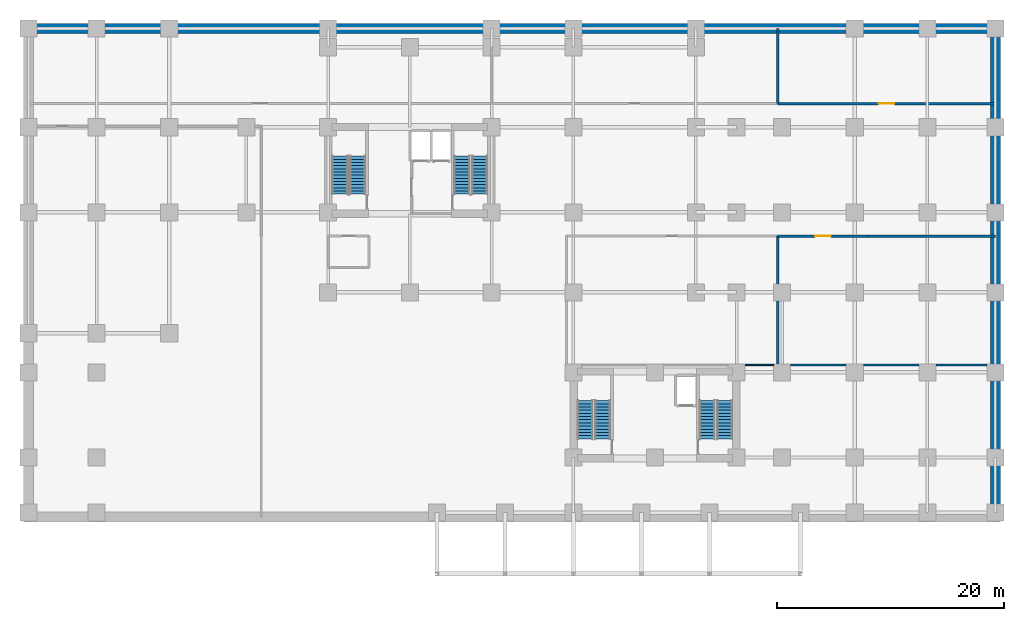
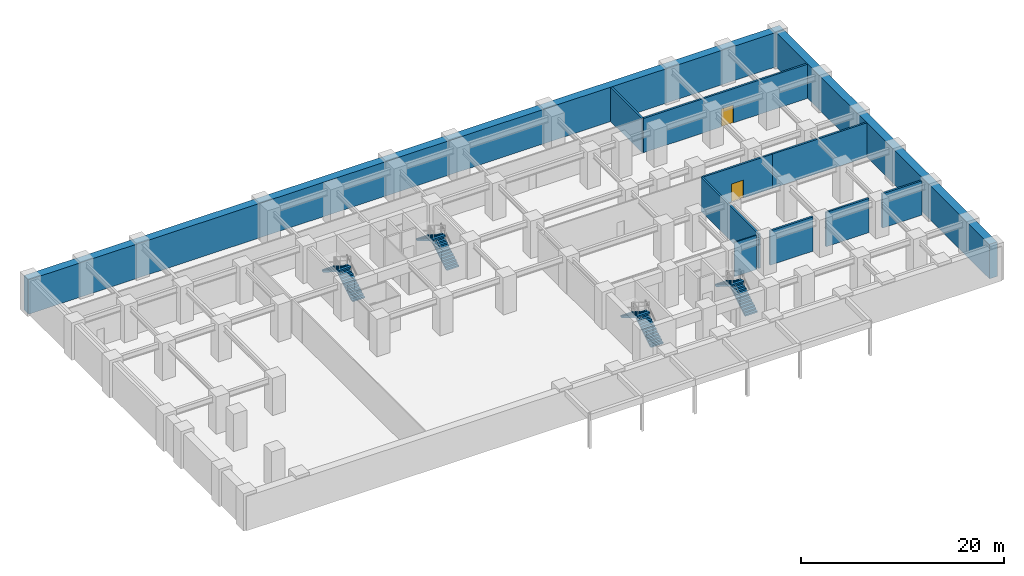
# One storey, part 9 of 11: 11 walls, 8 stair flights, 2 doors, 2 openings, 4 elements without a shape of their own.
"""IFC4 building model written with IfcOpenShell, lengths in metres."""

import ifcopenshell
import ifcopenshell.guid

model = None  # the IFC model being written
_history = None  # IfcOwnerHistory: only IFC2X3 demands one
_inside = {}  # id of a spatial element -> (the spatial element, [elements in it])
_under = {}  # id of a project, library or spatial element -> (it, [spatial elements below it])
_declared = {}  # id of a project -> (the project, [libraries it declares])
_typed = {}  # id of a type object -> (the type object, [elements of that type])
_made_of = {}  # id of a material, layer set ... -> (it, [elements and type objects made of it])


def new_model(schema):
    """Start an empty IFC model of exactly this schema.

    Asked for "IFC4X3", IfcOpenShell would pick the latest addendum, in which some entities
    have other attributes; the version numbers below select the first issue.
    IFC2X3 requires an IfcOwnerHistory on every rooted entity: one is made here for all.
    """
    global model, _history
    if schema == "IFC4X3":
        model = ifcopenshell.file(schema_version=(4, 3, 0, 0))
    else:
        model = ifcopenshell.file(schema=schema)
    _inside.clear()
    _under.clear()
    _declared.clear()
    _typed.clear()
    _made_of.clear()
    _history = None
    if model.schema == "IFC2X3":
        org = make("IfcOrganization", Name="unknown")
        user = make(
            "IfcPersonAndOrganization",
            ThePerson=make("IfcPerson", FamilyName="unknown"),
            TheOrganization=org,
        )
        app = make(
            "IfcApplication",
            ApplicationDeveloper=org,
            Version="unknown",
            ApplicationFullName="unknown",
            ApplicationIdentifier="unknown",
        )
        _history = make(
            "IfcOwnerHistory",
            OwningUser=user,
            OwningApplication=app,
            ChangeAction="ADDED",
            CreationDate=0,
        )
    return model


def make(cls, **values):
    """One entity of the class cls with the attributes given. An attribute that is None is left unset."""
    return model.create_entity(
        cls, **{name: value for name, value in values.items() if value is not None}
    )


def rooted(cls, **values):
    """An entity with a GlobalId (a new one), such as an element, a storey or a relation."""
    return make(cls, GlobalId=ifcopenshell.guid.new(), OwnerHistory=_history, **values)


def si_unit(unit_type, name, prefix=None):
    """IfcSIUnit, for example si_unit("LENGTHUNIT", "METRE", prefix="MILLI")."""
    return make("IfcSIUnit", UnitType=unit_type, Prefix=prefix, Name=name)


def assignment(units):
    """IfcUnitAssignment: the units of a project."""
    return None if units is None else make("IfcUnitAssignment", Units=units)


def point(xyz):
    """IfcCartesianPoint."""
    return None if xyz is None else make("IfcCartesianPoint", Coordinates=xyz)


def direction(xyz):
    """IfcDirection."""
    return None if xyz is None else make("IfcDirection", DirectionRatios=xyz)


def frame(location, z_axis=None, x_axis=None):
    """IfcAxis2Placement3D, a coordinate frame: its origin and axes. An axis left out is left unset."""
    return make(
        "IfcAxis2Placement3D",
        Location=point(location),
        Axis=direction(z_axis),
        RefDirection=direction(x_axis),
    )


def frame_2d(location, x_axis=None):
    """IfcAxis2Placement2D, a coordinate frame in the plane: its origin and x axis."""
    return make(
        "IfcAxis2Placement2D", Location=point(location), RefDirection=direction(x_axis)
    )


def origin():
    """The frame at (0, 0, 0) with its axes left unset."""
    return frame((0.0, 0.0, 0.0))


def place(relative_to, where):
    """IfcLocalPlacement: puts the frame where relative to a parent placement (None: the world)."""
    return make(
        "IfcLocalPlacement", PlacementRelTo=relative_to, RelativePlacement=where
    )


def context(
    kind, dimensions, precision=None, world=None, true_north=None, identifier=None
):
    """IfcGeometricRepresentationContext, for example the 3D "Model" context."""
    return make(
        "IfcGeometricRepresentationContext",
        ContextIdentifier=identifier,
        ContextType=kind,
        CoordinateSpaceDimension=dimensions,
        Precision=precision,
        WorldCoordinateSystem=world,
        TrueNorth=true_north,
    )


def subcontext(parent, identifier, kind, view, scale=None):
    """IfcGeometricRepresentationSubContext, for example "Body" below "Model"."""
    return make(
        "IfcGeometricRepresentationSubContext",
        ContextIdentifier=identifier,
        ContextType=kind,
        ParentContext=parent,
        TargetScale=scale,
        TargetView=view,
    )


def project(units=None, contexts=None):
    """IfcProject with its units and contexts."""
    return rooted(
        "IfcProject",
        Name="project",
        RepresentationContexts=contexts,
        UnitsInContext=assignment(units),
    )


def spatial(cls, under=None, at=None, **own):
    """A site, building, storey or space (cls), placed at a placement, below another one or the project."""
    s = rooted(cls, ObjectPlacement=at, **own)
    if under is not None:
        _under.setdefault(under.id(), (under, []))[1].append(s)
    return s


def polyline(points):
    """IfcPolyline through the points."""
    return make("IfcPolyline", Points=[point(p) for p in points])


def profile(cls, at=None, kind="AREA", **sizes):
    """A parametric profile (cls). Its sizes go by their IFC names, for example OverallWidth=200.0."""
    return make(cls, ProfileType=kind, Position=at, **sizes)


def rectangle(**sizes):
    """IfcRectangleProfileDef."""
    return profile("IfcRectangleProfileDef", **sizes)


def outline(outer, holes=None, kind="AREA"):
    """IfcArbitraryClosedProfileDef: a profile drawn as a closed curve; with holes, ...WithVoids."""
    if holes is None:
        return make("IfcArbitraryClosedProfileDef", ProfileType=kind, OuterCurve=outer)
    return make(
        "IfcArbitraryProfileDefWithVoids",
        ProfileType=kind,
        OuterCurve=outer,
        InnerCurves=holes,
    )


def extrude(swept, where, along, depth):
    """IfcExtrudedAreaSolid: the profile swept, set in the frame where, extruded along a direction by depth."""
    return make(
        "IfcExtrudedAreaSolid",
        SweptArea=swept,
        Position=where,
        ExtrudedDirection=direction(along),
        Depth=depth,
    )


def shape(context_of_items, identifier, shape_type, items):
    """IfcShapeRepresentation: the items that make up one representation, for example the "Body"."""
    return make(
        "IfcShapeRepresentation",
        ContextOfItems=context_of_items,
        RepresentationIdentifier=identifier,
        RepresentationType=shape_type,
        Items=items,
    )


def material(Name=None, Category=None):
    """IfcMaterial."""
    return make("IfcMaterial", Name=Name, Category=Category)


def layer(
    of_material, thickness, ventilated=None, Name=None, Category=None, Priority=None
):
    """IfcMaterialLayer: one layer of a wall or slab, of a material (None: an air gap)."""
    return make(
        "IfcMaterialLayer",
        Material=of_material,
        LayerThickness=thickness,
        IsVentilated=ventilated,
        Name=Name,
        Category=Category,
        Priority=Priority,
    )


def layer_set(layers, Name=None):
    """IfcMaterialLayerSet."""
    return make("IfcMaterialLayerSet", MaterialLayers=layers, LayerSetName=Name)


def made_of(thing, what):
    """Note that an element or type object is made of a material, layer set ...; save() writes the relation."""
    if what is not None:
        _made_of.setdefault(what.id(), (what, []))[1].append(thing)
    return thing


def type_object(cls, material=None, **own):
    """A type object (cls), such as IfcWallType, which elements share."""
    return made_of(rooted(cls, **own), material)


def element(
    cls,
    number,
    at=None,
    inside=None,
    cuts=None,
    type_object=None,
    material=None,
    context=None,
    identifier="Body",
    shape_type=None,
    held_by="IfcProductDefinitionShape",
    body=None,
    shapes=None,
    **own,
):
    """One element of the class cls, such as IfcWall. Its Tag is "e" and its number.

    at: its placement. inside: the storey or other place that contains it. cuts: it is an
    opening in that element (IfcRelVoidsElement). A single representation is given by context,
    identifier, shape_type and body (its items); several are given by shapes. held_by: the class
    of the entity that holds the representations. save() writes the other relations.
    """
    e = rooted(cls, Tag="e%d" % number, ObjectPlacement=at, **own)
    if body is not None:
        shapes = [shape(context, identifier, shape_type, body)]
    if shapes is not None:
        e.Representation = make(held_by, Representations=shapes)
    if inside is not None:
        _inside.setdefault(inside.id(), (inside, []))[1].append(e)
    if cuts is not None:
        rooted(
            "IfcRelVoidsElement", RelatingBuildingElement=cuts, RelatedOpeningElement=e
        )
    if type_object is not None:
        _typed.setdefault(type_object.id(), (type_object, []))[1].append(e)
    return made_of(e, material)


def fill(opening, filler):
    """IfcRelFillsElement: the door or window that sits in an opening."""
    return rooted(
        "IfcRelFillsElement",
        RelatingOpeningElement=opening,
        RelatedBuildingElement=filler,
    )


def aggregate(whole, parts):
    """IfcRelAggregates: a whole, such as a stair, and the parts it consists of."""
    return rooted("IfcRelAggregates", RelatingObject=whole, RelatedObjects=parts)


def save(model, path):
    """Write the relations noted so far, then the file.

    IfcRelAggregates (storeys below a building ...), IfcRelContainedInSpatialStructure (elements
    in a storey), IfcRelDefinesByType, IfcRelAssociatesMaterial and IfcRelDeclares: one each for
    every whole, place, type object, material and project.
    """
    for whole, parts in _under.values():
        aggregate(whole, parts)
    for where, things in _inside.values():
        rooted(
            "IfcRelContainedInSpatialStructure",
            RelatedElements=things,
            RelatingStructure=where,
        )
    for kind, things in _typed.values():
        rooted("IfcRelDefinesByType", RelatedObjects=things, RelatingType=kind)
    for what, things in _made_of.values():
        rooted("IfcRelAssociatesMaterial", RelatedObjects=things, RelatingMaterial=what)
    for by, libraries in _declared.values():
        rooted("IfcRelDeclares", RelatingContext=by, RelatedDefinitions=libraries)
    model.write(path)


model = new_model("IFC4")

# Units and contexts
model_context = context("Model", 3, precision=1e-05, world=origin(), true_north=direction((0.0, 1.0)))
body_context = subcontext(model_context, "Body", "Model", "MODEL_VIEW")
ifc_project = project(units=[si_unit("LENGTHUNIT", "METRE"), si_unit("AREAUNIT", "SQUARE_METRE"), si_unit("VOLUMEUNIT", "CUBIC_METRE"), si_unit("PLANEANGLEUNIT", "RADIAN"), si_unit("MASSUNIT", "GRAM", prefix="KILO")], contexts=[model_context])

# Site, building, storey
site_placement = place(None, origin())
site = spatial("IfcSite", under=ifc_project, at=site_placement, CompositionType="ELEMENT")
building_placement = place(site_placement, origin())
building = spatial("IfcBuilding", under=site, at=building_placement, Name="Kaliganga Portal Commons", CompositionType="ELEMENT")
storey_placement = place(building_placement, frame((0.0, 0.0, -4.5)))
storey = spatial("IfcBuildingStorey", under=building, at=storey_placement, Name="B1", CompositionType="ELEMENT", Elevation=-4.5)

# Wall, opening, door
ifc_material_1 = material(Name="Lightweight blockwork masonry", Category="masonry")
ifc_layer_1 = layer(ifc_material_1, 0.215087890625)
ifc_layer_set_1 = layer_set([ifc_layer_1], Name="Lightweight blockwork masonry")
wall_type_1 = type_object("IfcWallType", Name="WL-PART-PLANT-215", PredefinedType="PARTITIONING", material=ifc_layer_set_1)
wall_1_placement = place(storey_placement, frame((54.0, 38.239990234375, 0.0), z_axis=(0.0, 0.0, 1.0), x_axis=(1.0, 0.0, 0.0)))
wall_1 = element("IfcWall", 1, at=wall_1_placement, inside=storey, type_object=wall_type_1, Name="Interior Partition B1-007", PredefinedType="PARTITIONING", context=body_context, shape_type="SweptSolid", body=[
    extrude(rectangle(XDim=19.199951171875, YDim=0.215087890625, at=frame_2d((9.60009765625, 0.0))), origin(), (0.0, 0.0, 1.0), 4.1298828125),
])
opening_1_placement = place(wall_1_placement, frame((8.89990234375, 0.0, 0.0)))
opening_1 = element("IfcOpeningElement", 2, at=opening_1_placement, cuts=wall_1, Name="Opening PD-01", PredefinedType="OPENING", context=body_context, shape_type="SweptSolid", body=[
    extrude(rectangle(XDim=1.39990234375, YDim=2.14990234375, at=frame_2d((0.699951171875, 1.074951171875))), frame((0.0, 0.11767578125, 0.0), z_axis=(0.0, -1.0, 0.0), x_axis=(1.0, 0.0, 0.0)), (0.0, 0.0, 1.0), 0.235107421875),
])
ifc_material_2 = material(Name="Heavy-Duty Steel Acoustic Louvre Fire Door", Category="steel")
door_type = type_object("IfcDoorType", Name="DR-PLANT-1400", OperationType="DOUBLE_DOOR_SINGLE_SWING", PredefinedType="DOOR", material=ifc_material_2)
door_1_placement = place(opening_1_placement, origin())
door_1 = element("IfcDoor", 3, at=door_1_placement, inside=storey, type_object=door_type, Name="Interior Door B1-SUB", OperationType="DOUBLE_DOOR_SINGLE_SWING", OverallHeight=2.14990234375, OverallWidth=1.39990234375, PredefinedType="DOOR", context=body_context, shape_type="SweptSolid", body=[
    extrude(rectangle(XDim=1.39990234375, YDim=2.14990234375, at=frame_2d((0.699951171875, 1.074951171875))), frame((0.0, 0.02490234375, 0.0), z_axis=(0.0, -1.0, 0.0), x_axis=(1.0, 0.0, 0.0)), (0.0, 0.0, 1.0), 0.050048828125),
])
fill(opening_1, door_1)

wall_2_placement = place(storey_placement, frame((54.0, 26.56005859375, 0.0), z_axis=(0.0, 0.0, 1.0), x_axis=(1.0, 0.0, 0.0)))
wall_2 = element("IfcWall", 4, at=wall_2_placement, inside=storey, type_object=wall_type_1, Name="Interior Partition B1-011", PredefinedType="PARTITIONING", context=body_context, shape_type="SweptSolid", body=[
    extrude(rectangle(XDim=8.0, YDim=0.215087890625, at=frame_2d((4.0, 0.0))), origin(), (0.0, 0.0, 1.0), 4.1298828125),
])
opening_2_placement = place(wall_2_placement, frame((3.300048828125, 0.0, 0.0)))
opening_2 = element("IfcOpeningElement", 5, at=opening_2_placement, cuts=wall_2, Name="Opening PD-01", PredefinedType="OPENING", context=body_context, shape_type="SweptSolid", body=[
    extrude(rectangle(XDim=1.39990234375, YDim=2.14990234375, at=frame_2d((0.699951171875, 1.074951171875))), frame((0.0, 0.11767578125, 0.0), z_axis=(0.0, -1.0, 0.0), x_axis=(1.0, 0.0, 0.0)), (0.0, 0.0, 1.0), 0.235107421875),
])
door_2_placement = place(opening_2_placement, origin())
door_2 = element("IfcDoor", 6, at=door_2_placement, inside=storey, type_object=door_type, Name="Interior Door B1-BMS", OperationType="DOUBLE_DOOR_SINGLE_SWING", OverallHeight=2.14990234375, OverallWidth=1.39990234375, PredefinedType="DOOR", context=body_context, shape_type="SweptSolid", body=[
    extrude(rectangle(XDim=1.39990234375, YDim=2.14990234375, at=frame_2d((0.699951171875, 1.074951171875))), frame((0.0, 0.02490234375, 0.0), z_axis=(0.0, -1.0, 0.0), x_axis=(1.0, 0.0, 0.0)), (0.0, 0.0, 1.0), 0.050048828125),
])
fill(opening_2, door_2)

# Walls
wall_3_placement = place(storey_placement, frame((55.14990234375, 15.199951171875, 0.0), z_axis=(0.0, 0.0, 1.0), x_axis=(1.0, 0.0, 0.0)))
element("IfcWall", 7, at=wall_3_placement, inside=storey, type_object=wall_type_1, Name="Interior Partition B1-016", PredefinedType="PARTITIONING", context=body_context, shape_type="SweptSolid", body=[
    extrude(rectangle(XDim=4.900146484375, YDim=0.215087890625, at=frame_2d((2.4501953125, 0.0))), origin(), (0.0, 0.0, 1.0), 4.1298828125),
])
wall_4_placement = place(storey_placement, frame((61.550048828125, 15.199951171875, 0.0), z_axis=(0.0, 0.0, 1.0), x_axis=(1.0, 0.0, 0.0)))
element("IfcWall", 8, at=wall_4_placement, inside=storey, type_object=wall_type_1, Name="Interior Partition B1-017", PredefinedType="PARTITIONING", context=body_context, shape_type="SweptSolid", body=[
    extrude(rectangle(XDim=4.89990234375, YDim=0.215087890625, at=frame_2d((2.449951171875, 0.0))), origin(), (0.0, 0.0, 1.0), 4.1298828125),
])
wall_5_placement = place(storey_placement, frame((67.949951171875, 15.199951171875, 0.0), z_axis=(0.0, 0.0, 1.0), x_axis=(1.0, 0.0, 0.0)))
element("IfcWall", 9, at=wall_5_placement, inside=storey, type_object=wall_type_1, Name="Interior Partition B1-018", PredefinedType="PARTITIONING", context=body_context, shape_type="SweptSolid", body=[
    extrude(rectangle(XDim=4.5, YDim=0.215087890625, at=frame_2d((2.25, 0.0))), origin(), (0.0, 0.0, 1.0), 4.1298828125),
])
wall_6_placement = place(storey_placement, frame((54.0, 15.199951171875, 0.0), z_axis=(0.0, 0.0, 1.0), x_axis=(0.0, 1.0, 0.0)))
element("IfcWall", 10, at=wall_6_placement, inside=storey, type_object=wall_type_1, Name="Interior Partition B1-022", PredefinedType="PARTITIONING", context=body_context, shape_type="SweptSolid", body=[
    extrude(rectangle(XDim=11.360107421875, YDim=0.215087890625, at=frame_2d((5.68017578125, 0.0))), origin(), (0.0, 0.0, 1.0), 4.1298828125),
])
wall_7_placement = place(storey_placement, frame((62.0, 26.56005859375, 0.0), z_axis=(0.0, 0.0, 1.0), x_axis=(1.0, 0.0, 0.0)))
element("IfcWall", 11, at=wall_7_placement, inside=storey, type_object=wall_type_1, Name="Interior Partition B1-023", PredefinedType="PARTITIONING", context=body_context, shape_type="SweptSolid", body=[
    extrude(rectangle(XDim=11.199951171875, YDim=0.215087890625, at=frame_2d((5.60009765625, 0.0))), origin(), (0.0, 0.0, 1.0), 4.1298828125),
])
wall_8_placement = place(storey_placement, frame((54.0, 38.239990234375, 0.0), z_axis=(0.0, 0.0, 1.0), x_axis=(0.0, 1.0, 0.0)))
element("IfcWall", 12, at=wall_8_placement, inside=storey, type_object=wall_type_1, Name="Interior Partition B1-025", PredefinedType="PARTITIONING", context=body_context, shape_type="SweptSolid", body=[
    extrude(rectangle(XDim=6.60009765625, YDim=0.215087890625, at=frame_2d((3.300048828125, 0.0))), origin(), (0.0, 0.0, 1.0), 4.1298828125),
])
ifc_material_3 = material(Name="Moisture-Resistant Gypsum Partition", Category="gypsum")
ifc_layer_2 = layer(ifc_material_3, 0.114990234375)
ifc_layer_set_2 = layer_set([ifc_layer_2], Name="Moisture-Resistant Gypsum Partition")
wall_type_2 = type_object("IfcWallType", Name="WL-PART-ROOM-115", PredefinedType="PARTITIONING", material=ifc_layer_set_2)
wall_9_placement = place(storey_placement, frame((51.14990234375, 15.199951171875, 0.0), z_axis=(0.0, 0.0, 1.0), x_axis=(1.0, 0.0, 0.0)))
element("IfcWall", 13, at=wall_9_placement, inside=storey, type_object=wall_type_2, Name="Interior Partition B1-021", PredefinedType="PARTITIONING", context=body_context, shape_type="SweptSolid", body=[
    extrude(rectangle(XDim=2.5, YDim=0.114990234375, at=frame_2d((1.25, 0.0))), origin(), (0.0, 0.0, 1.0), 4.1298828125),
])
ifc_material_4 = material(Name="Concrete C60/75", Category="concrete")
ifc_layer_3 = layer(ifc_material_4, 0.89990234375)
ifc_layer_set_3 = layer_set([ifc_layer_3], Name="Concrete C60/75")
wall_type_3 = type_object("IfcWallType", Name="WL-RET-900", PredefinedType="USERDEFINED", material=ifc_layer_set_3)
wall_10_placement = place(storey_placement, frame((-12.449951171875, 44.85009765625, 0.0), z_axis=(0.0, 0.0, 1.0), x_axis=(1.0, 0.0, 0.0)))
element("IfcWall", 14, at=wall_10_placement, inside=storey, type_object=wall_type_3, Name="Basement Diaphragm Retaining Wall B1-N", ObjectType="RETAINING WALL", PredefinedType="USERDEFINED", context=body_context, shape_type="SweptSolid", body=[
    extrude(rectangle(XDim=86.099853515625, YDim=0.89990234375, at=frame_2d((43.0498046875, 0.0))), origin(), (0.0, 0.0, 1.0), 4.14990234375),
])
wall_11_placement = place(storey_placement, frame((73.199951171875, 2.25, 0.0), z_axis=(0.0, 0.0, 1.0), x_axis=(0.0, 1.0, 0.0)))
element("IfcWall", 15, at=wall_11_placement, inside=storey, type_object=wall_type_3, Name="Basement Diaphragm Retaining Wall B1-E", ObjectType="RETAINING WALL", PredefinedType="USERDEFINED", context=body_context, shape_type="SweptSolid", body=[
    extrude(rectangle(XDim=42.14990234375, YDim=0.89990234375, at=frame_2d((21.074951171875, 0.0))), origin(), (0.0, 0.0, 1.0), 4.14990234375),
])

# Stair, stair flights
ifc_material_5 = material(Name="Concrete C40/50", Category="concrete")
stair_type = type_object("IfcStairType", Name="ST-CORE-DOGLEG", PredefinedType="HALF_TURN_STAIR", material=ifc_material_5)
stair_1_placement = place(storey_placement, origin())
stair_1 = element("IfcStair", 16, at=stair_1_placement, inside=storey, type_object=stair_type, Name="B1 Protected Exit Stair ST-A1", PredefinedType="HALF_TURN_STAIR")
stair_flight_type = type_object("IfcStairFlightType", Name="STF-RC-1400", PredefinedType="STRAIGHT", material=ifc_material_5)
stair_flight_1_placement = place(storey_placement, frame((17.0, 30.25, 0.0), z_axis=(0.0, 0.0, 1.0), x_axis=(0.0, 1.0, 0.0)))
stair_flight_1 = element("IfcStairFlight", 17, at=stair_flight_1_placement, type_object=stair_flight_type, Name="ST-A1 flight 1", NumberOfRisers=13, NumberOfTreads=12, PredefinedType="STRAIGHT", RiserHeight=0.173076923, TreadLength=0.28, context=body_context, shape_type="SweptSolid", body=[
    extrude(outline(polyline([(0.0, 0.0), (0.0, 0.173095703125), (0.280029296875, 0.173095703125), (0.280029296875, 0.34619140625), (0.56005859375, 0.34619140625), (0.56005859375, 0.519287109375), (0.840087890625, 0.519287109375), (0.840087890625, 0.6923828125), (1.1201171875, 0.6923828125), (1.1201171875, 0.865478515625), (1.39990234375, 0.865478515625), (1.39990234375, 1.03857421875), (1.679931640625, 1.03857421875), (1.679931640625, 1.21142578125), (1.9599609375, 1.21142578125), (1.9599609375, 1.384521484375), (2.239990234375, 1.384521484375), (2.239990234375, 1.5576171875), (2.52001953125, 1.5576171875), (2.52001953125, 1.730712890625), (2.800048828125, 1.730712890625), (2.800048828125, 1.90380859375), (3.080078125, 1.90380859375), (3.080078125, 2.076904296875), (3.360107421875, 2.076904296875), (3.360107421875, 2.25), (3.360107421875, 1.900634765625), (0.28515625, 0.0), (0.0, 0.0)])), frame((0.0, 0.699951171875, 0.0), z_axis=(0.0, -1.0, 0.0), x_axis=(1.0, 0.0, 0.0)), (0.0, 0.0, 1.0), 1.39990234375),
])
stair_flight_2_placement = place(storey_placement, frame((15.449951171875, 33.610107421875, 2.25), z_axis=(0.0, 0.0, 1.0), x_axis=(0.0, -1.0, 0.0)))
stair_flight_2 = element("IfcStairFlight", 18, at=stair_flight_2_placement, type_object=stair_flight_type, Name="ST-A1 flight 2", NumberOfRisers=13, NumberOfTreads=12, PredefinedType="STRAIGHT", RiserHeight=0.173076923, TreadLength=0.28, context=body_context, shape_type="SweptSolid", body=[
    extrude(outline(polyline([(0.0, 0.0), (0.0, 0.173095703125), (0.280029296875, 0.173095703125), (0.280029296875, 0.34619140625), (0.56005859375, 0.34619140625), (0.56005859375, 0.519287109375), (0.840087890625, 0.519287109375), (0.840087890625, 0.6923828125), (1.1201171875, 0.6923828125), (1.1201171875, 0.865478515625), (1.39990234375, 0.865478515625), (1.39990234375, 1.03857421875), (1.679931640625, 1.03857421875), (1.679931640625, 1.21142578125), (1.9599609375, 1.21142578125), (1.9599609375, 1.384521484375), (2.239990234375, 1.384521484375), (2.239990234375, 1.5576171875), (2.52001953125, 1.5576171875), (2.52001953125, 1.730712890625), (2.800048828125, 1.730712890625), (2.800048828125, 1.90380859375), (3.080078125, 1.90380859375), (3.080078125, 2.076904296875), (3.360107421875, 2.076904296875), (3.360107421875, 2.25), (3.360107421875, 1.900634765625), (0.28515625, 0.0), (0.0, 0.0)])), frame((0.0, 0.699951171875, 0.0), z_axis=(0.0, -1.0, 0.0), x_axis=(1.0, 0.0, 0.0)), (0.0, 0.0, 1.0), 1.39990234375),
])
aggregate(stair_1, [stair_flight_1, stair_flight_2])

stair_2_placement = place(storey_placement, origin())
stair_2 = element("IfcStair", 19, at=stair_2_placement, inside=storey, type_object=stair_type, Name="B1 Protected Exit Stair ST-A2", PredefinedType="HALF_TURN_STAIR")
stair_flight_3_placement = place(storey_placement, frame((27.75, 30.25, 0.0), z_axis=(0.0, 0.0, 1.0), x_axis=(0.0, 1.0, 0.0)))
stair_flight_3 = element("IfcStairFlight", 20, at=stair_flight_3_placement, type_object=stair_flight_type, Name="ST-A2 flight 1", NumberOfRisers=13, NumberOfTreads=12, PredefinedType="STRAIGHT", RiserHeight=0.173076923, TreadLength=0.28, context=body_context, shape_type="SweptSolid", body=[
    extrude(outline(polyline([(0.0, 0.0), (0.0, 0.173095703125), (0.280029296875, 0.173095703125), (0.280029296875, 0.34619140625), (0.56005859375, 0.34619140625), (0.56005859375, 0.519287109375), (0.840087890625, 0.519287109375), (0.840087890625, 0.6923828125), (1.1201171875, 0.6923828125), (1.1201171875, 0.865478515625), (1.39990234375, 0.865478515625), (1.39990234375, 1.03857421875), (1.679931640625, 1.03857421875), (1.679931640625, 1.21142578125), (1.9599609375, 1.21142578125), (1.9599609375, 1.384521484375), (2.239990234375, 1.384521484375), (2.239990234375, 1.5576171875), (2.52001953125, 1.5576171875), (2.52001953125, 1.730712890625), (2.800048828125, 1.730712890625), (2.800048828125, 1.90380859375), (3.080078125, 1.90380859375), (3.080078125, 2.076904296875), (3.360107421875, 2.076904296875), (3.360107421875, 2.25), (3.360107421875, 1.900634765625), (0.28515625, 0.0), (0.0, 0.0)])), frame((0.0, 0.699951171875, 0.0), z_axis=(0.0, -1.0, 0.0), x_axis=(1.0, 0.0, 0.0)), (0.0, 0.0, 1.0), 1.39990234375),
])
stair_flight_4_placement = place(storey_placement, frame((26.199951171875, 33.610107421875, 2.25), z_axis=(0.0, 0.0, 1.0), x_axis=(0.0, -1.0, 0.0)))
stair_flight_4 = element("IfcStairFlight", 21, at=stair_flight_4_placement, type_object=stair_flight_type, Name="ST-A2 flight 2", NumberOfRisers=13, NumberOfTreads=12, PredefinedType="STRAIGHT", RiserHeight=0.173076923, TreadLength=0.28, context=body_context, shape_type="SweptSolid", body=[
    extrude(outline(polyline([(0.0, 0.0), (0.0, 0.173095703125), (0.280029296875, 0.173095703125), (0.280029296875, 0.34619140625), (0.56005859375, 0.34619140625), (0.56005859375, 0.519287109375), (0.840087890625, 0.519287109375), (0.840087890625, 0.6923828125), (1.1201171875, 0.6923828125), (1.1201171875, 0.865478515625), (1.39990234375, 0.865478515625), (1.39990234375, 1.03857421875), (1.679931640625, 1.03857421875), (1.679931640625, 1.21142578125), (1.9599609375, 1.21142578125), (1.9599609375, 1.384521484375), (2.239990234375, 1.384521484375), (2.239990234375, 1.5576171875), (2.52001953125, 1.5576171875), (2.52001953125, 1.730712890625), (2.800048828125, 1.730712890625), (2.800048828125, 1.90380859375), (3.080078125, 1.90380859375), (3.080078125, 2.076904296875), (3.360107421875, 2.076904296875), (3.360107421875, 2.25), (3.360107421875, 1.900634765625), (0.28515625, 0.0), (0.0, 0.0)])), frame((0.0, 0.699951171875, 0.0), z_axis=(0.0, -1.0, 0.0), x_axis=(1.0, 0.0, 0.0)), (0.0, 0.0, 1.0), 1.39990234375),
])
aggregate(stair_2, [stair_flight_3, stair_flight_4])

stair_3_placement = place(storey_placement, origin())
stair_3 = element("IfcStair", 22, at=stair_3_placement, inside=storey, type_object=stair_type, Name="B1 Protected Exit Stair ST-B1", PredefinedType="HALF_TURN_STAIR")
stair_flight_5_placement = place(storey_placement, frame((38.60009765625, 8.699951171875, 0.0), z_axis=(0.0, 0.0, 1.0), x_axis=(0.0, 1.0, 0.0)))
stair_flight_5 = element("IfcStairFlight", 23, at=stair_flight_5_placement, type_object=stair_flight_type, Name="ST-B1 flight 1", NumberOfRisers=13, NumberOfTreads=12, PredefinedType="STRAIGHT", RiserHeight=0.173076923, TreadLength=0.28, context=body_context, shape_type="SweptSolid", body=[
    extrude(outline(polyline([(0.0, 0.0), (0.0, 0.173095703125), (0.280029296875, 0.173095703125), (0.280029296875, 0.34619140625), (0.56005859375, 0.34619140625), (0.56005859375, 0.519287109375), (0.840087890625, 0.519287109375), (0.840087890625, 0.6923828125), (1.1201171875, 0.6923828125), (1.1201171875, 0.865478515625), (1.39990234375, 0.865478515625), (1.39990234375, 1.03857421875), (1.679931640625, 1.03857421875), (1.679931640625, 1.21142578125), (1.9599609375, 1.21142578125), (1.9599609375, 1.384521484375), (2.239990234375, 1.384521484375), (2.239990234375, 1.5576171875), (2.52001953125, 1.5576171875), (2.52001953125, 1.730712890625), (2.800048828125, 1.730712890625), (2.800048828125, 1.90380859375), (3.080078125, 1.90380859375), (3.080078125, 2.076904296875), (3.360107421875, 2.076904296875), (3.360107421875, 2.25), (3.360107421875, 1.900634765625), (0.28515625, 0.0), (0.0, 0.0)])), frame((0.0, 0.699951171875, 0.0), z_axis=(0.0, -1.0, 0.0), x_axis=(1.0, 0.0, 0.0)), (0.0, 0.0, 1.0), 1.39990234375),
])
stair_flight_6_placement = place(storey_placement, frame((37.050048828125, 12.06005859375, 2.25), z_axis=(0.0, 0.0, 1.0), x_axis=(0.0, -1.0, 0.0)))
stair_flight_6 = element("IfcStairFlight", 24, at=stair_flight_6_placement, type_object=stair_flight_type, Name="ST-B1 flight 2", NumberOfRisers=13, NumberOfTreads=12, PredefinedType="STRAIGHT", RiserHeight=0.173076923, TreadLength=0.28, context=body_context, shape_type="SweptSolid", body=[
    extrude(outline(polyline([(0.0, 0.0), (0.0, 0.173095703125), (0.280029296875, 0.173095703125), (0.280029296875, 0.34619140625), (0.56005859375, 0.34619140625), (0.56005859375, 0.519287109375), (0.840087890625, 0.519287109375), (0.840087890625, 0.6923828125), (1.1201171875, 0.6923828125), (1.1201171875, 0.865478515625), (1.39990234375, 0.865478515625), (1.39990234375, 1.03857421875), (1.679931640625, 1.03857421875), (1.679931640625, 1.21142578125), (1.9599609375, 1.21142578125), (1.9599609375, 1.384521484375), (2.239990234375, 1.384521484375), (2.239990234375, 1.5576171875), (2.52001953125, 1.5576171875), (2.52001953125, 1.730712890625), (2.800048828125, 1.730712890625), (2.800048828125, 1.90380859375), (3.080078125, 1.90380859375), (3.080078125, 2.076904296875), (3.360107421875, 2.076904296875), (3.360107421875, 2.25), (3.360107421875, 1.900634765625), (0.28515625, 0.0), (0.0, 0.0)])), frame((0.0, 0.699951171875, 0.0), z_axis=(0.0, -1.0, 0.0), x_axis=(1.0, 0.0, 0.0)), (0.0, 0.0, 1.0), 1.39990234375),
])
aggregate(stair_3, [stair_flight_5, stair_flight_6])

stair_4_placement = place(storey_placement, origin())
stair_4 = element("IfcStair", 25, at=stair_4_placement, inside=storey, type_object=stair_type, Name="B1 Protected Exit Stair ST-B2", PredefinedType="HALF_TURN_STAIR")
stair_flight_7_placement = place(storey_placement, frame((49.35009765625, 8.699951171875, 0.0), z_axis=(0.0, 0.0, 1.0), x_axis=(0.0, 1.0, 0.0)))
stair_flight_7 = element("IfcStairFlight", 26, at=stair_flight_7_placement, type_object=stair_flight_type, Name="ST-B2 flight 1", NumberOfRisers=13, NumberOfTreads=12, PredefinedType="STRAIGHT", RiserHeight=0.173076923, TreadLength=0.28, context=body_context, shape_type="SweptSolid", body=[
    extrude(outline(polyline([(0.0, 0.0), (0.0, 0.173095703125), (0.280029296875, 0.173095703125), (0.280029296875, 0.34619140625), (0.56005859375, 0.34619140625), (0.56005859375, 0.519287109375), (0.840087890625, 0.519287109375), (0.840087890625, 0.6923828125), (1.1201171875, 0.6923828125), (1.1201171875, 0.865478515625), (1.39990234375, 0.865478515625), (1.39990234375, 1.03857421875), (1.679931640625, 1.03857421875), (1.679931640625, 1.21142578125), (1.9599609375, 1.21142578125), (1.9599609375, 1.384521484375), (2.239990234375, 1.384521484375), (2.239990234375, 1.5576171875), (2.52001953125, 1.5576171875), (2.52001953125, 1.730712890625), (2.800048828125, 1.730712890625), (2.800048828125, 1.90380859375), (3.080078125, 1.90380859375), (3.080078125, 2.076904296875), (3.360107421875, 2.076904296875), (3.360107421875, 2.25), (3.360107421875, 1.900634765625), (0.28515625, 0.0), (0.0, 0.0)])), frame((0.0, 0.699951171875, 0.0), z_axis=(0.0, -1.0, 0.0), x_axis=(1.0, 0.0, 0.0)), (0.0, 0.0, 1.0), 1.39990234375),
])
stair_flight_8_placement = place(storey_placement, frame((47.800048828125, 12.06005859375, 2.25), z_axis=(0.0, 0.0, 1.0), x_axis=(0.0, -1.0, 0.0)))
stair_flight_8 = element("IfcStairFlight", 27, at=stair_flight_8_placement, type_object=stair_flight_type, Name="ST-B2 flight 2", NumberOfRisers=13, NumberOfTreads=12, PredefinedType="STRAIGHT", RiserHeight=0.173076923, TreadLength=0.28, context=body_context, shape_type="SweptSolid", body=[
    extrude(outline(polyline([(0.0, 0.0), (0.0, 0.173095703125), (0.280029296875, 0.173095703125), (0.280029296875, 0.34619140625), (0.56005859375, 0.34619140625), (0.56005859375, 0.519287109375), (0.840087890625, 0.519287109375), (0.840087890625, 0.6923828125), (1.1201171875, 0.6923828125), (1.1201171875, 0.865478515625), (1.39990234375, 0.865478515625), (1.39990234375, 1.03857421875), (1.679931640625, 1.03857421875), (1.679931640625, 1.21142578125), (1.9599609375, 1.21142578125), (1.9599609375, 1.384521484375), (2.239990234375, 1.384521484375), (2.239990234375, 1.5576171875), (2.52001953125, 1.5576171875), (2.52001953125, 1.730712890625), (2.800048828125, 1.730712890625), (2.800048828125, 1.90380859375), (3.080078125, 1.90380859375), (3.080078125, 2.076904296875), (3.360107421875, 2.076904296875), (3.360107421875, 2.25), (3.360107421875, 1.900634765625), (0.28515625, 0.0), (0.0, 0.0)])), frame((0.0, 0.699951171875, 0.0), z_axis=(0.0, -1.0, 0.0), x_axis=(1.0, 0.0, 0.0)), (0.0, 0.0, 1.0), 1.39990234375),
])
aggregate(stair_4, [stair_flight_7, stair_flight_8])

save(model, "model.ifc")
